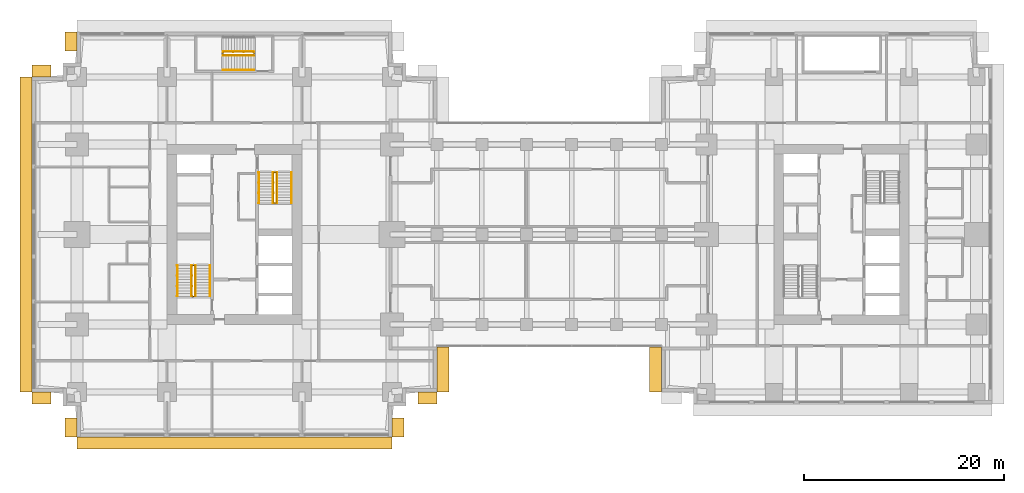
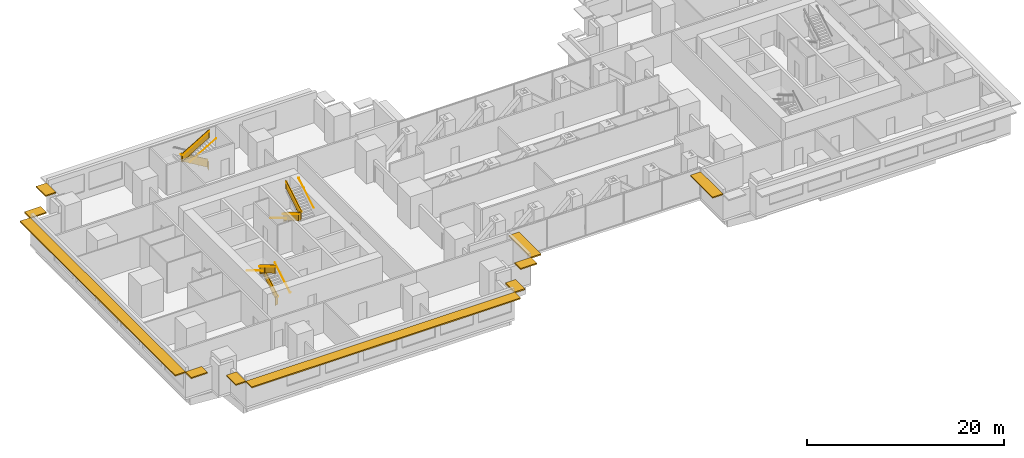
# One storey, part 13 of 14: 14 railings, 10 shading devices.
"""IFC4 building model written with IfcOpenShell, lengths in metres."""

from ifc_helpers import new_model, si_unit, direction, frame, origin, origin_2d, place, context, subcontext, project, spatial, polyline, rectangle, circle, outline, extrude, material, layer, layer_set, type_object, element, save


model = new_model("IFC4")

# Units and contexts
model_context = context("Model", 3, precision=1e-05, world=origin(), true_north=direction((0.0, 1.0)))
body_context = subcontext(model_context, "Body", "Model", "MODEL_VIEW")
ifc_project = project(units=[si_unit("LENGTHUNIT", "METRE"), si_unit("AREAUNIT", "SQUARE_METRE"), si_unit("VOLUMEUNIT", "CUBIC_METRE"), si_unit("PLANEANGLEUNIT", "RADIAN"), si_unit("MASSUNIT", "GRAM", prefix="KILO")], contexts=[model_context])

# Site, building, storey
site_placement = place(None, origin())
site = spatial("IfcSite", under=ifc_project, at=site_placement, CompositionType="ELEMENT")
building_placement = place(site_placement, origin())
building = spatial("IfcBuilding", under=site, at=building_placement, Name="Namib Vertical Campus", CompositionType="ELEMENT")
storey_placement = place(building_placement, frame((0.0, 0.0, 133.0)))
storey = spatial("IfcBuildingStorey", under=building, at=storey_placement, Name="L31", CompositionType="ELEMENT", Elevation=133.0)

# Railings
ifc_material_1 = material(Name="Steel handrail", Category="steel")
railing_type_1 = type_object("IfcRailingType", Name="Handrail 900", PredefinedType="HANDRAIL", material=ifc_material_1)
railing_1_placement = place(storey_placement, frame((17.800048828125, 14.050048828125, 0.166748046875)))
element("IfcRailing", 1, at=railing_1_placement, inside=storey, type_object=railing_type_1, Name="Handrail HR1 A-S1 L31 1", PredefinedType="HANDRAIL", context=body_context, shape_type="SweptSolid", body=[
    extrude(circle(Radius=0.02392578125, at=origin_2d()), frame((0.0, 0.0, 0.8759765625), z_axis=(0.0, 0.859290745958, 0.51148745235), x_axis=(-1.0, 0.0, 0.0)), (0.0, 0.0, 1.0), 3.584228515625),
    extrude(circle(Radius=0.008056640625, at=origin_2d()), frame((0.0, 0.0, 0.8759765625), z_axis=(1.0, 0.0, 0.0), x_axis=(0.0, 0.0, 1.0)), (0.0, 0.0, 1.0), 0.050048828125),
    extrude(circle(Radius=0.008056640625, at=origin_2d()), frame((0.0, 1.026611328125, 1.48681640625), z_axis=(1.0, 0.0, 0.0), x_axis=(0.0, 0.0, 1.0)), (0.0, 0.0, 1.0), 0.050048828125),
    extrude(circle(Radius=0.008056640625, at=origin_2d()), frame((0.0, 2.05322265625, 2.09814453125), z_axis=(1.0, 0.0, 0.0), x_axis=(0.0, 0.0, 1.0)), (0.0, 0.0, 1.0), 0.050048828125),
    extrude(circle(Radius=0.008056640625, at=origin_2d()), frame((0.0, 3.079833984375, 2.708984375), z_axis=(1.0, 0.0, 0.0), x_axis=(0.0, 0.0, 1.0)), (0.0, 0.0, 1.0), 0.050048828125),
])
railing_2_placement = place(storey_placement, frame((14.550048828125, 17.1298828125, 2.166748046875)))
element("IfcRailing", 2, at=railing_2_placement, inside=storey, type_object=railing_type_1, Name="Handrail HR1 A-S1 L31 2", PredefinedType="HANDRAIL", context=body_context, shape_type="SweptSolid", body=[
    extrude(circle(Radius=0.02392578125, at=origin_2d()), frame((0.0, 0.0, 0.8759765625), z_axis=(0.0, -0.859290745958, 0.51148745235), x_axis=(1.0, 0.0, 0.0)), (0.0, 0.0, 1.0), 3.584228515625),
    extrude(circle(Radius=0.008056640625, at=origin_2d()), frame((0.0, 0.0, 0.8759765625), z_axis=(-1.0, 0.0, 0.0), x_axis=(0.0, 0.0, 1.0)), (0.0, 0.0, 1.0), 0.050048828125),
    extrude(circle(Radius=0.008056640625, at=origin_2d()), frame((0.0, -1.026611328125, 1.48681640625), z_axis=(-1.0, 0.0, 0.0), x_axis=(0.0, 0.0, 1.0)), (0.0, 0.0, 1.0), 0.050048828125),
    extrude(circle(Radius=0.008056640625, at=origin_2d()), frame((0.0, -2.05322265625, 2.09814453125), z_axis=(-1.0, 0.0, 0.0), x_axis=(0.0, 0.0, 1.0)), (0.0, 0.0, 1.0), 0.050048828125),
    extrude(circle(Radius=0.008056640625, at=origin_2d()), frame((0.0, -3.079833984375, 2.708984375), z_axis=(-1.0, 0.0, 0.0), x_axis=(0.0, 0.0, 1.0)), (0.0, 0.0, 1.0), 0.050048828125),
])
railing_3_placement = place(storey_placement, frame((16.375, 14.050048828125, 0.166748046875)))
element("IfcRailing", 3, at=railing_3_placement, inside=storey, type_object=railing_type_1, Name="Handrail HR1 A-S1 L31 1 at the well", PredefinedType="HANDRAIL", context=body_context, shape_type="SweptSolid", body=[
    extrude(circle(Radius=0.02392578125, at=origin_2d()), frame((0.0, 0.0, 0.8759765625), z_axis=(0.0, 0.859290745958, 0.51148745235), x_axis=(-1.0, 0.0, 0.0)), (0.0, 0.0, 1.0), 3.584228515625),
    extrude(circle(Radius=0.008056640625, at=origin_2d()), frame((0.0, 0.0, 0.8759765625), z_axis=(-1.0, 0.0, 0.0), x_axis=(0.0, 0.0, 1.0)), (0.0, 0.0, 1.0), 0.0400390625),
    extrude(circle(Radius=0.008056640625, at=origin_2d()), frame((0.0, 1.026611328125, 1.48681640625), z_axis=(-1.0, 0.0, 0.0), x_axis=(0.0, 0.0, 1.0)), (0.0, 0.0, 1.0), 0.0400390625),
    extrude(circle(Radius=0.008056640625, at=origin_2d()), frame((0.0, 2.05322265625, 2.09814453125), z_axis=(-1.0, 0.0, 0.0), x_axis=(0.0, 0.0, 1.0)), (0.0, 0.0, 1.0), 0.0400390625),
    extrude(circle(Radius=0.008056640625, at=origin_2d()), frame((0.0, 3.079833984375, 2.708984375), z_axis=(-1.0, 0.0, 0.0), x_axis=(0.0, 0.0, 1.0)), (0.0, 0.0, 1.0), 0.0400390625),
])
railing_4_placement = place(storey_placement, frame((15.97509765625, 17.1298828125, 2.166748046875)))
element("IfcRailing", 4, at=railing_4_placement, inside=storey, type_object=railing_type_1, Name="Handrail HR1 A-S1 L31 2 at the well", PredefinedType="HANDRAIL", context=body_context, shape_type="SweptSolid", body=[
    extrude(circle(Radius=0.02392578125, at=origin_2d()), frame((0.0, 0.0, 0.8759765625), z_axis=(0.0, -0.859290745958, 0.51148745235), x_axis=(1.0, 0.0, 0.0)), (0.0, 0.0, 1.0), 3.584228515625),
    extrude(circle(Radius=0.008056640625, at=origin_2d()), frame((0.0, 0.0, 0.8759765625), z_axis=(1.0, 0.0, 0.0), x_axis=(0.0, 0.0, 1.0)), (0.0, 0.0, 1.0), 0.0400390625),
    extrude(circle(Radius=0.008056640625, at=origin_2d()), frame((0.0, -1.026611328125, 1.48681640625), z_axis=(1.0, 0.0, 0.0), x_axis=(0.0, 0.0, 1.0)), (0.0, 0.0, 1.0), 0.0400390625),
    extrude(circle(Radius=0.008056640625, at=origin_2d()), frame((0.0, -2.05322265625, 2.09814453125), z_axis=(1.0, 0.0, 0.0), x_axis=(0.0, 0.0, 1.0)), (0.0, 0.0, 1.0), 0.0400390625),
    extrude(circle(Radius=0.008056640625, at=origin_2d()), frame((0.0, -3.079833984375, 2.708984375), z_axis=(1.0, 0.0, 0.0), x_axis=(0.0, 0.0, 1.0)), (0.0, 0.0, 1.0), 0.0400390625),
])
railing_5_placement = place(storey_placement, frame((22.699951171875, 26.449951171875, 0.166748046875)))
element("IfcRailing", 5, at=railing_5_placement, inside=storey, type_object=railing_type_1, Name="Handrail HR1 A-S2 L31 1", PredefinedType="HANDRAIL", context=body_context, shape_type="SweptSolid", body=[
    extrude(circle(Radius=0.02392578125, at=origin_2d()), frame((0.0, 0.0, 0.8759765625), z_axis=(0.0, -0.859290745958, 0.51148745235), x_axis=(1.0, 0.0, 0.0)), (0.0, 0.0, 1.0), 3.584228515625),
    extrude(circle(Radius=0.008056640625, at=origin_2d()), frame((0.0, 0.0, 0.8759765625), z_axis=(-1.0, 0.0, 0.0), x_axis=(0.0, 0.0, 1.0)), (0.0, 0.0, 1.0), 0.050048828125),
    extrude(circle(Radius=0.008056640625, at=origin_2d()), frame((0.0, -1.026611328125, 1.48681640625), z_axis=(-1.0, 0.0, 0.0), x_axis=(0.0, 0.0, 1.0)), (0.0, 0.0, 1.0), 0.050048828125),
    extrude(circle(Radius=0.008056640625, at=origin_2d()), frame((0.0, -2.05322265625, 2.09814453125), z_axis=(-1.0, 0.0, 0.0), x_axis=(0.0, 0.0, 1.0)), (0.0, 0.0, 1.0), 0.050048828125),
    extrude(circle(Radius=0.008056640625, at=origin_2d()), frame((0.0, -3.079833984375, 2.708984375), z_axis=(-1.0, 0.0, 0.0), x_axis=(0.0, 0.0, 1.0)), (0.0, 0.0, 1.0), 0.050048828125),
])
railing_6_placement = place(storey_placement, frame((25.949951171875, 23.3701171875, 2.166748046875)))
element("IfcRailing", 6, at=railing_6_placement, inside=storey, type_object=railing_type_1, Name="Handrail HR1 A-S2 L31 2", PredefinedType="HANDRAIL", context=body_context, shape_type="SweptSolid", body=[
    extrude(circle(Radius=0.02392578125, at=origin_2d()), frame((0.0, 0.0, 0.8759765625), z_axis=(0.0, 0.859290745958, 0.51148745235), x_axis=(-1.0, 0.0, 0.0)), (0.0, 0.0, 1.0), 3.584228515625),
    extrude(circle(Radius=0.008056640625, at=origin_2d()), frame((0.0, 0.0, 0.8759765625), z_axis=(1.0, 0.0, 0.0), x_axis=(0.0, 0.0, 1.0)), (0.0, 0.0, 1.0), 0.050048828125),
    extrude(circle(Radius=0.008056640625, at=origin_2d()), frame((0.0, 1.026611328125, 1.48681640625), z_axis=(1.0, 0.0, 0.0), x_axis=(0.0, 0.0, 1.0)), (0.0, 0.0, 1.0), 0.050048828125),
    extrude(circle(Radius=0.008056640625, at=origin_2d()), frame((0.0, 2.05322265625, 2.09814453125), z_axis=(1.0, 0.0, 0.0), x_axis=(0.0, 0.0, 1.0)), (0.0, 0.0, 1.0), 0.050048828125),
    extrude(circle(Radius=0.008056640625, at=origin_2d()), frame((0.0, 3.079833984375, 2.708984375), z_axis=(1.0, 0.0, 0.0), x_axis=(0.0, 0.0, 1.0)), (0.0, 0.0, 1.0), 0.050048828125),
])
railing_7_placement = place(storey_placement, frame((24.125, 26.449951171875, 0.166748046875)))
element("IfcRailing", 7, at=railing_7_placement, inside=storey, type_object=railing_type_1, Name="Handrail HR1 A-S2 L31 1 at the well", PredefinedType="HANDRAIL", context=body_context, shape_type="SweptSolid", body=[
    extrude(circle(Radius=0.02392578125, at=origin_2d()), frame((0.0, 0.0, 0.8759765625), z_axis=(0.0, -0.859290745958, 0.51148745235), x_axis=(1.0, 0.0, 0.0)), (0.0, 0.0, 1.0), 3.584228515625),
    extrude(circle(Radius=0.008056640625, at=origin_2d()), frame((0.0, 0.0, 0.8759765625), z_axis=(1.0, 0.0, 0.0), x_axis=(0.0, 0.0, 1.0)), (0.0, 0.0, 1.0), 0.0400390625),
    extrude(circle(Radius=0.008056640625, at=origin_2d()), frame((0.0, -1.026611328125, 1.48681640625), z_axis=(1.0, 0.0, 0.0), x_axis=(0.0, 0.0, 1.0)), (0.0, 0.0, 1.0), 0.0400390625),
    extrude(circle(Radius=0.008056640625, at=origin_2d()), frame((0.0, -2.05322265625, 2.09814453125), z_axis=(1.0, 0.0, 0.0), x_axis=(0.0, 0.0, 1.0)), (0.0, 0.0, 1.0), 0.0400390625),
    extrude(circle(Radius=0.008056640625, at=origin_2d()), frame((0.0, -3.079833984375, 2.708984375), z_axis=(1.0, 0.0, 0.0), x_axis=(0.0, 0.0, 1.0)), (0.0, 0.0, 1.0), 0.0400390625),
])
railing_8_placement = place(storey_placement, frame((24.52490234375, 23.3701171875, 2.166748046875)))
element("IfcRailing", 8, at=railing_8_placement, inside=storey, type_object=railing_type_1, Name="Handrail HR1 A-S2 L31 2 at the well", PredefinedType="HANDRAIL", context=body_context, shape_type="SweptSolid", body=[
    extrude(circle(Radius=0.02392578125, at=origin_2d()), frame((0.0, 0.0, 0.8759765625), z_axis=(0.0, 0.859290745958, 0.51148745235), x_axis=(-1.0, 0.0, 0.0)), (0.0, 0.0, 1.0), 3.584228515625),
    extrude(circle(Radius=0.008056640625, at=origin_2d()), frame((0.0, 0.0, 0.8759765625), z_axis=(-1.0, 0.0, 0.0), x_axis=(0.0, 0.0, 1.0)), (0.0, 0.0, 1.0), 0.0400390625),
    extrude(circle(Radius=0.008056640625, at=origin_2d()), frame((0.0, 1.026611328125, 1.48681640625), z_axis=(-1.0, 0.0, 0.0), x_axis=(0.0, 0.0, 1.0)), (0.0, 0.0, 1.0), 0.0400390625),
    extrude(circle(Radius=0.008056640625, at=origin_2d()), frame((0.0, 2.05322265625, 2.09814453125), z_axis=(-1.0, 0.0, 0.0), x_axis=(0.0, 0.0, 1.0)), (0.0, 0.0, 1.0), 0.0400390625),
    extrude(circle(Radius=0.008056640625, at=origin_2d()), frame((0.0, 3.079833984375, 2.708984375), z_axis=(-1.0, 0.0, 0.0), x_axis=(0.0, 0.0, 1.0)), (0.0, 0.0, 1.0), 0.0400390625),
])
railing_9_placement = place(storey_placement, frame((19.1201171875, 36.699951171875, 2.166748046875)))
element("IfcRailing", 9, at=railing_9_placement, inside=storey, type_object=railing_type_1, Name="Handrail HR1 A-S3 L31 2", PredefinedType="HANDRAIL", context=body_context, shape_type="SweptSolid", body=[
    extrude(circle(Radius=0.02392578125, at=origin_2d()), frame((0.0, 0.0, 0.8759765625), z_axis=(0.859290745958, 0.0, 0.51148745235), x_axis=(0.0, 1.0, 0.0)), (0.0, 0.0, 1.0), 3.584228515625),
    extrude(circle(Radius=0.008056640625, at=origin_2d()), frame((0.0, 0.0, 0.8759765625), z_axis=(0.0, -1.0, 0.0), x_axis=(0.0, 0.0, 1.0)), (0.0, 0.0, 1.0), 0.050048828125),
    extrude(circle(Radius=0.008056640625, at=origin_2d()), frame((1.026611328125, 0.0, 1.48681640625), z_axis=(0.0, -1.0, 0.0), x_axis=(0.0, 0.0, 1.0)), (0.0, 0.0, 1.0), 0.050048828125),
    extrude(circle(Radius=0.008056640625, at=origin_2d()), frame((2.05322265625, 0.0, 2.09814453125), z_axis=(0.0, -1.0, 0.0), x_axis=(0.0, 0.0, 1.0)), (0.0, 0.0, 1.0), 0.050048828125),
    extrude(circle(Radius=0.008056640625, at=origin_2d()), frame((3.079833984375, 0.0, 2.708984375), z_axis=(0.0, -1.0, 0.0), x_axis=(0.0, 0.0, 1.0)), (0.0, 0.0, 1.0), 0.050048828125),
])
railing_10_placement = place(storey_placement, frame((22.199951171875, 38.52490234375, 0.166748046875)))
element("IfcRailing", 10, at=railing_10_placement, inside=storey, type_object=railing_type_1, Name="Handrail HR1 A-S3 L31 1 at the well", PredefinedType="HANDRAIL", context=body_context, shape_type="SweptSolid", body=[
    extrude(circle(Radius=0.02392578125, at=origin_2d()), frame((0.0, 0.0, 0.8759765625), z_axis=(-0.859290745958, 0.0, 0.51148745235), x_axis=(0.0, -1.0, 0.0)), (0.0, 0.0, 1.0), 3.584228515625),
    extrude(circle(Radius=0.008056640625, at=origin_2d()), frame((0.0, 0.0, 0.8759765625), z_axis=(0.0, -1.0, 0.0), x_axis=(0.0, 0.0, 1.0)), (0.0, 0.0, 1.0), 0.0400390625),
    extrude(circle(Radius=0.008056640625, at=origin_2d()), frame((-1.026611328125, 0.0, 1.48681640625), z_axis=(0.0, -1.0, 0.0), x_axis=(0.0, 0.0, 1.0)), (0.0, 0.0, 1.0), 0.0400390625),
    extrude(circle(Radius=0.008056640625, at=origin_2d()), frame((-2.05322265625, 0.0, 2.09814453125), z_axis=(0.0, -1.0, 0.0), x_axis=(0.0, 0.0, 1.0)), (0.0, 0.0, 1.0), 0.0400390625),
    extrude(circle(Radius=0.008056640625, at=origin_2d()), frame((-3.079833984375, 0.0, 2.708984375), z_axis=(0.0, -1.0, 0.0), x_axis=(0.0, 0.0, 1.0)), (0.0, 0.0, 1.0), 0.0400390625),
])
railing_11_placement = place(storey_placement, frame((19.1201171875, 38.125, 2.166748046875)))
element("IfcRailing", 11, at=railing_11_placement, inside=storey, type_object=railing_type_1, Name="Handrail HR1 A-S3 L31 2 at the well", PredefinedType="HANDRAIL", context=body_context, shape_type="SweptSolid", body=[
    extrude(circle(Radius=0.02392578125, at=origin_2d()), frame((0.0, 0.0, 0.8759765625), z_axis=(0.859290745958, 0.0, 0.51148745235), x_axis=(0.0, 1.0, 0.0)), (0.0, 0.0, 1.0), 3.584228515625),
    extrude(circle(Radius=0.008056640625, at=origin_2d()), frame((0.0, 0.0, 0.8759765625), z_axis=(0.0, 1.0, 0.0), x_axis=(0.0, 0.0, 1.0)), (0.0, 0.0, 1.0), 0.0400390625),
    extrude(circle(Radius=0.008056640625, at=origin_2d()), frame((1.026611328125, 0.0, 1.48681640625), z_axis=(0.0, 1.0, 0.0), x_axis=(0.0, 0.0, 1.0)), (0.0, 0.0, 1.0), 0.0400390625),
    extrude(circle(Radius=0.008056640625, at=origin_2d()), frame((2.05322265625, 0.0, 2.09814453125), z_axis=(0.0, 1.0, 0.0), x_axis=(0.0, 0.0, 1.0)), (0.0, 0.0, 1.0), 0.0400390625),
    extrude(circle(Radius=0.008056640625, at=origin_2d()), frame((3.079833984375, 0.0, 2.708984375), z_axis=(0.0, 1.0, 0.0), x_axis=(0.0, 0.0, 1.0)), (0.0, 0.0, 1.0), 0.0400390625),
])
ifc_material_2 = material(Name="Steel balustrade", Category="steel")
railing_type_2 = type_object("IfcRailingType", Name="Stair guard 1100", PredefinedType="GUARDRAIL", material=ifc_material_2)
railing_12_placement = place(storey_placement, frame((16.02490234375, 14.050048828125, 0.0)))
element("IfcRailing", 12, at=railing_12_placement, inside=storey, type_object=railing_type_2, Name="Stair guard GR1 A-S1 L31", PredefinedType="GUARDRAIL", context=body_context, shape_type="SweptSolid", body=[
    extrude(circle(Radius=0.02392578125, at=origin_2d()), frame((0.0, 0.0, 1.076171875), z_axis=(1.0, 0.0, 0.0), x_axis=(0.0, 1.0, 0.0)), (0.0, 0.0, 1.0), 0.300048828125),
    extrude(outline(polyline([(0.02099609375, 0.050048828125), (0.279052734375, 0.050048828125), (0.279052734375, 1.052001953125), (0.02099609375, 1.052001953125), (0.02099609375, 0.050048828125)])), frame((0.0, 0.010009765625, 0.0), z_axis=(0.0, -1.0, 0.0), x_axis=(1.0, 0.0, 0.0)), (0.0, 0.0, 1.0), 0.02001953125),
    extrude(circle(Radius=0.02392578125, at=origin_2d()), frame((0.300048828125, 0.0, 1.076171875), z_axis=(0.0, 0.0, 1.0), x_axis=(1.0, 0.0, 0.0)), (0.0, 0.0, 1.0), 0.166748046875),
    extrude(circle(Radius=0.02392578125, at=origin_2d()), frame((0.300048828125, 0.0, 1.24267578125), z_axis=(0.0, 0.859290745958, 0.51148745235), x_axis=(-1.0, 0.0, 0.0)), (0.0, 0.0, 1.0), 3.584228515625),
    extrude(outline(polyline([(0.02099609375, 0.0625), (3.058837890625, 1.870849609375), (3.058837890625, 2.872802734375), (0.02099609375, 1.064453125), (0.02099609375, 0.0625)])), frame((0.2900390625, 0.0, 0.166748046875), z_axis=(1.0, 0.0, 0.0), x_axis=(0.0, 1.0, 0.0)), (0.0, 0.0, 1.0), 0.02001953125),
    extrude(circle(Radius=0.02392578125, at=origin_2d()), frame((0.300048828125, 3.079833984375, 3.076171875), z_axis=(-1.0, 0.0, 0.0), x_axis=(0.0, -1.0, 0.0)), (0.0, 0.0, 1.0), 0.300048828125),
    extrude(outline(polyline([(0.02099609375, 0.050048828125), (0.279052734375, 0.050048828125), (0.279052734375, 1.052001953125), (0.02099609375, 1.052001953125), (0.02099609375, 0.050048828125)])), frame((0.300048828125, 3.06982421875, 2.0), z_axis=(0.0, 1.0, 0.0), x_axis=(-1.0, 0.0, 0.0)), (0.0, 0.0, 1.0), 0.02001953125),
    extrude(circle(Radius=0.02392578125, at=origin_2d()), frame((0.0, 3.079833984375, 3.076171875), z_axis=(0.0, 0.0, 1.0), x_axis=(1.0, 0.0, 0.0)), (0.0, 0.0, 1.0), 0.166748046875),
    extrude(circle(Radius=0.02392578125, at=origin_2d()), frame((0.0, 3.079833984375, 3.24267578125), z_axis=(0.0, -0.859290745958, 0.51148745235), x_axis=(1.0, 0.0, 0.0)), (0.0, 0.0, 1.0), 3.584228515625),
    extrude(outline(polyline([(0.02099609375, 0.0625), (3.058837890625, 1.870849609375), (3.058837890625, 2.872802734375), (0.02099609375, 1.064453125), (0.02099609375, 0.0625)])), frame((0.010009765625, 3.079833984375, 2.166748046875), z_axis=(-1.0, 0.0, 0.0), x_axis=(0.0, -1.0, 0.0)), (0.0, 0.0, 1.0), 0.02001953125),
    extrude(circle(Radius=0.02392578125, at=origin_2d()), frame((0.0, 0.0, 5.076171875), z_axis=(0.0, -1.0, 0.0), x_axis=(1.0, 0.0, 0.0)), (0.0, 0.0, 1.0), 0.050048828125),
    extrude(outline(polyline([(0.02099609375, 0.050048828125), (0.029052734375, 0.050048828125), (0.029052734375, 1.052001953125), (0.02099609375, 1.052001953125), (0.02099609375, 0.050048828125)])), frame((0.010009765625, 0.0, 4.0), z_axis=(-1.0, 0.0, 0.0), x_axis=(0.0, -1.0, 0.0)), (0.0, 0.0, 1.0), 0.02001953125),
    extrude(circle(Radius=0.02099609375, at=origin_2d()), origin(), (0.0, 0.0, 1.0), 1.052001953125),
    extrude(circle(Radius=0.02099609375, at=origin_2d()), frame((0.300048828125, 0.0, 0.166748046875)), (0.0, 0.0, 1.0), 1.052001953125),
    extrude(circle(Radius=0.02099609375, at=origin_2d()), frame((0.300048828125, 1.026611328125, 0.666748046875)), (0.0, 0.0, 1.0), 1.1630859375),
    extrude(circle(Radius=0.02099609375, at=origin_2d()), frame((0.300048828125, 2.05322265625, 1.33349609375)), (0.0, 0.0, 1.0), 1.107421875),
    extrude(circle(Radius=0.02099609375, at=origin_2d()), frame((0.300048828125, 3.079833984375, 2.0)), (0.0, 0.0, 1.0), 1.052001953125),
    extrude(circle(Radius=0.02099609375, at=origin_2d()), frame((0.0, 3.079833984375, 2.166748046875)), (0.0, 0.0, 1.0), 1.052001953125),
    extrude(circle(Radius=0.02099609375, at=origin_2d()), frame((0.0, 2.05322265625, 2.666748046875)), (0.0, 0.0, 1.0), 1.1630859375),
    extrude(circle(Radius=0.02099609375, at=origin_2d()), frame((0.0, 1.026611328125, 3.33349609375)), (0.0, 0.0, 1.0), 1.107421875),
    extrude(circle(Radius=0.02099609375, at=origin_2d()), frame((0.0, 0.0, 4.0)), (0.0, 0.0, 1.0), 1.052001953125),
    extrude(circle(Radius=0.02099609375, at=origin_2d()), frame((0.0, -0.050048828125, 4.0)), (0.0, 0.0, 1.0), 1.052001953125),
])
railing_13_placement = place(storey_placement, frame((24.47509765625, 26.449951171875, 0.0)))
element("IfcRailing", 13, at=railing_13_placement, inside=storey, type_object=railing_type_2, Name="Stair guard GR1 A-S2 L31", PredefinedType="GUARDRAIL", context=body_context, shape_type="SweptSolid", body=[
    extrude(circle(Radius=0.02392578125, at=origin_2d()), frame((0.0, 0.0, 1.076171875), z_axis=(-1.0, 0.0, 0.0), x_axis=(0.0, -1.0, 0.0)), (0.0, 0.0, 1.0), 0.300048828125),
    extrude(outline(polyline([(0.02099609375, 0.050048828125), (0.279052734375, 0.050048828125), (0.279052734375, 1.052001953125), (0.02099609375, 1.052001953125), (0.02099609375, 0.050048828125)])), frame((0.0, -0.010009765625, 0.0), z_axis=(0.0, 1.0, 0.0), x_axis=(-1.0, 0.0, 0.0)), (0.0, 0.0, 1.0), 0.02001953125),
    extrude(circle(Radius=0.02392578125, at=origin_2d()), frame((-0.300048828125, 0.0, 1.076171875), z_axis=(0.0, 0.0, 1.0), x_axis=(1.0, 0.0, 0.0)), (0.0, 0.0, 1.0), 0.166748046875),
    extrude(circle(Radius=0.02392578125, at=origin_2d()), frame((-0.300048828125, 0.0, 1.24267578125), z_axis=(0.0, -0.859290745958, 0.51148745235), x_axis=(1.0, 0.0, 0.0)), (0.0, 0.0, 1.0), 3.584228515625),
    extrude(outline(polyline([(0.02099609375, 0.0625), (3.058837890625, 1.870849609375), (3.058837890625, 2.872802734375), (0.02099609375, 1.064453125), (0.02099609375, 0.0625)])), frame((-0.2900390625, 0.0, 0.166748046875), z_axis=(-1.0, 0.0, 0.0), x_axis=(0.0, -1.0, 0.0)), (0.0, 0.0, 1.0), 0.02001953125),
    extrude(circle(Radius=0.02392578125, at=origin_2d()), frame((-0.300048828125, -3.079833984375, 3.076171875), z_axis=(1.0, 0.0, 0.0), x_axis=(0.0, 1.0, 0.0)), (0.0, 0.0, 1.0), 0.300048828125),
    extrude(outline(polyline([(0.02099609375, 0.050048828125), (0.279052734375, 0.050048828125), (0.279052734375, 1.052001953125), (0.02099609375, 1.052001953125), (0.02099609375, 0.050048828125)])), frame((-0.300048828125, -3.06982421875, 2.0), z_axis=(0.0, -1.0, 0.0), x_axis=(1.0, 0.0, 0.0)), (0.0, 0.0, 1.0), 0.02001953125),
    extrude(circle(Radius=0.02392578125, at=origin_2d()), frame((0.0, -3.079833984375, 3.076171875), z_axis=(0.0, 0.0, 1.0), x_axis=(1.0, 0.0, 0.0)), (0.0, 0.0, 1.0), 0.166748046875),
    extrude(circle(Radius=0.02392578125, at=origin_2d()), frame((0.0, -3.079833984375, 3.24267578125), z_axis=(0.0, 0.859290745958, 0.51148745235), x_axis=(-1.0, 0.0, 0.0)), (0.0, 0.0, 1.0), 3.584228515625),
    extrude(outline(polyline([(0.02099609375, 0.0625), (3.058837890625, 1.870849609375), (3.058837890625, 2.872802734375), (0.02099609375, 1.064453125), (0.02099609375, 0.0625)])), frame((-0.010009765625, -3.079833984375, 2.166748046875), z_axis=(1.0, 0.0, 0.0), x_axis=(0.0, 1.0, 0.0)), (0.0, 0.0, 1.0), 0.02001953125),
    extrude(circle(Radius=0.02392578125, at=origin_2d()), frame((0.0, 0.0, 5.076171875), z_axis=(0.0, 1.0, 0.0), x_axis=(-1.0, 0.0, 0.0)), (0.0, 0.0, 1.0), 0.050048828125),
    extrude(outline(polyline([(0.02099609375, 0.050048828125), (0.029052734375, 0.050048828125), (0.029052734375, 1.052001953125), (0.02099609375, 1.052001953125), (0.02099609375, 0.050048828125)])), frame((-0.010009765625, 0.0, 4.0), z_axis=(1.0, 0.0, 0.0), x_axis=(0.0, 1.0, 0.0)), (0.0, 0.0, 1.0), 0.02001953125),
    extrude(circle(Radius=0.02099609375, at=origin_2d()), origin(), (0.0, 0.0, 1.0), 1.052001953125),
    extrude(circle(Radius=0.02099609375, at=origin_2d()), frame((-0.300048828125, 0.0, 0.166748046875)), (0.0, 0.0, 1.0), 1.052001953125),
    extrude(circle(Radius=0.02099609375, at=origin_2d()), frame((-0.300048828125, -1.026611328125, 0.666748046875)), (0.0, 0.0, 1.0), 1.1630859375),
    extrude(circle(Radius=0.02099609375, at=origin_2d()), frame((-0.300048828125, -2.05322265625, 1.33349609375)), (0.0, 0.0, 1.0), 1.107421875),
    extrude(circle(Radius=0.02099609375, at=origin_2d()), frame((-0.300048828125, -3.079833984375, 2.0)), (0.0, 0.0, 1.0), 1.052001953125),
    extrude(circle(Radius=0.02099609375, at=origin_2d()), frame((0.0, -3.079833984375, 2.166748046875)), (0.0, 0.0, 1.0), 1.052001953125),
    extrude(circle(Radius=0.02099609375, at=origin_2d()), frame((0.0, -2.05322265625, 2.666748046875)), (0.0, 0.0, 1.0), 1.1630859375),
    extrude(circle(Radius=0.02099609375, at=origin_2d()), frame((0.0, -1.026611328125, 3.33349609375)), (0.0, 0.0, 1.0), 1.107421875),
    extrude(circle(Radius=0.02099609375, at=origin_2d()), frame((0.0, 0.0, 4.0)), (0.0, 0.0, 1.0), 1.052001953125),
    extrude(circle(Radius=0.02099609375, at=origin_2d()), frame((0.0, 0.050048828125, 4.0)), (0.0, 0.0, 1.0), 1.052001953125),
])
railing_14_placement = place(storey_placement, frame((22.199951171875, 38.175048828125, 0.0)))
element("IfcRailing", 14, at=railing_14_placement, inside=storey, type_object=railing_type_2, Name="Stair guard GR1 A-S3 L31", PredefinedType="GUARDRAIL", context=body_context, shape_type="SweptSolid", body=[
    extrude(circle(Radius=0.02392578125, at=origin_2d()), frame((0.0, 0.0, 1.076171875), z_axis=(0.0, 1.0, 0.0), x_axis=(-1.0, 0.0, 0.0)), (0.0, 0.0, 1.0), 0.300048828125),
    extrude(outline(polyline([(0.02099609375, 0.050048828125), (0.279052734375, 0.050048828125), (0.279052734375, 1.052001953125), (0.02099609375, 1.052001953125), (0.02099609375, 0.050048828125)])), frame((-0.010009765625, 0.0, 0.0), z_axis=(1.0, 0.0, 0.0), x_axis=(0.0, 1.0, 0.0)), (0.0, 0.0, 1.0), 0.02001953125),
    extrude(circle(Radius=0.02392578125, at=origin_2d()), frame((0.0, 0.300048828125, 1.076171875), z_axis=(0.0, 0.0, 1.0), x_axis=(1.0, 0.0, 0.0)), (0.0, 0.0, 1.0), 0.166748046875),
    extrude(circle(Radius=0.02392578125, at=origin_2d()), frame((0.0, 0.300048828125, 1.24267578125), z_axis=(-0.859290745958, 0.0, 0.51148745235), x_axis=(0.0, -1.0, 0.0)), (0.0, 0.0, 1.0), 3.584228515625),
    extrude(outline(polyline([(0.02099609375, 0.0625), (3.058837890625, 1.870849609375), (3.058837890625, 2.872802734375), (0.02099609375, 1.064453125), (0.02099609375, 0.0625)])), frame((0.0, 0.2900390625, 0.166748046875), z_axis=(0.0, 1.0, 0.0), x_axis=(-1.0, 0.0, 0.0)), (0.0, 0.0, 1.0), 0.02001953125),
    extrude(circle(Radius=0.02392578125, at=origin_2d()), frame((-3.079833984375, 0.300048828125, 3.076171875), z_axis=(0.0, -1.0, 0.0), x_axis=(1.0, 0.0, 0.0)), (0.0, 0.0, 1.0), 0.300048828125),
    extrude(outline(polyline([(0.02099609375, 0.050048828125), (0.279052734375, 0.050048828125), (0.279052734375, 1.052001953125), (0.02099609375, 1.052001953125), (0.02099609375, 0.050048828125)])), frame((-3.06982421875, 0.300048828125, 2.0), z_axis=(-1.0, 0.0, 0.0), x_axis=(0.0, -1.0, 0.0)), (0.0, 0.0, 1.0), 0.02001953125),
    extrude(circle(Radius=0.02392578125, at=origin_2d()), frame((-3.079833984375, 0.0, 3.076171875), z_axis=(0.0, 0.0, 1.0), x_axis=(1.0, 0.0, 0.0)), (0.0, 0.0, 1.0), 0.166748046875),
    extrude(circle(Radius=0.02392578125, at=origin_2d()), frame((-3.079833984375, 0.0, 3.24267578125), z_axis=(0.859290745958, 0.0, 0.51148745235), x_axis=(0.0, 1.0, 0.0)), (0.0, 0.0, 1.0), 3.584228515625),
    extrude(outline(polyline([(0.02099609375, 0.0625), (3.058837890625, 1.870849609375), (3.058837890625, 2.872802734375), (0.02099609375, 1.064453125), (0.02099609375, 0.0625)])), frame((-3.079833984375, 0.010009765625, 2.166748046875), z_axis=(0.0, -1.0, 0.0), x_axis=(1.0, 0.0, 0.0)), (0.0, 0.0, 1.0), 0.02001953125),
    extrude(circle(Radius=0.02392578125, at=origin_2d()), frame((0.0, 0.0, 5.076171875), z_axis=(1.0, 0.0, 0.0), x_axis=(0.0, 1.0, 0.0)), (0.0, 0.0, 1.0), 0.050048828125),
    extrude(outline(polyline([(0.02099609375, 0.050048828125), (0.029052734375, 0.050048828125), (0.029052734375, 1.052001953125), (0.02099609375, 1.052001953125), (0.02099609375, 0.050048828125)])), frame((0.0, 0.010009765625, 4.0), z_axis=(0.0, -1.0, 0.0), x_axis=(1.0, 0.0, 0.0)), (0.0, 0.0, 1.0), 0.02001953125),
    extrude(circle(Radius=0.02099609375, at=origin_2d()), origin(), (0.0, 0.0, 1.0), 1.052001953125),
    extrude(circle(Radius=0.02099609375, at=origin_2d()), frame((0.0, 0.300048828125, 0.166748046875)), (0.0, 0.0, 1.0), 1.052001953125),
    extrude(circle(Radius=0.02099609375, at=origin_2d()), frame((-1.026611328125, 0.300048828125, 0.666748046875)), (0.0, 0.0, 1.0), 1.1630859375),
    extrude(circle(Radius=0.02099609375, at=origin_2d()), frame((-2.05322265625, 0.300048828125, 1.33349609375)), (0.0, 0.0, 1.0), 1.107421875),
    extrude(circle(Radius=0.02099609375, at=origin_2d()), frame((-3.079833984375, 0.300048828125, 2.0)), (0.0, 0.0, 1.0), 1.052001953125),
    extrude(circle(Radius=0.02099609375, at=origin_2d()), frame((-3.079833984375, 0.0, 2.166748046875)), (0.0, 0.0, 1.0), 1.052001953125),
    extrude(circle(Radius=0.02099609375, at=origin_2d()), frame((-2.05322265625, 0.0, 2.666748046875)), (0.0, 0.0, 1.0), 1.1630859375),
    extrude(circle(Radius=0.02099609375, at=origin_2d()), frame((-1.026611328125, 0.0, 3.33349609375)), (0.0, 0.0, 1.0), 1.107421875),
    extrude(circle(Radius=0.02099609375, at=origin_2d()), frame((0.0, 0.0, 4.0)), (0.0, 0.0, 1.0), 1.052001953125),
    extrude(circle(Radius=0.02099609375, at=origin_2d()), frame((0.050048828125, 0.0, 4.0)), (0.0, 0.0, 1.0), 1.052001953125),
])

# Shading devices
ifc_material_3 = material(Name="Concrete C40/50 precast", Category="concrete")
ifc_layer = layer(ifc_material_3, 0.14990234375)
ifc_layer_set = layer_set([ifc_layer], Name="Concrete C40/50 precast")
shading_device_type = type_object("IfcShadingDeviceType", Name="Sunshade hood 1200", PredefinedType="SHUTTER", material=ifc_layer_set)
shading_device_1_placement = place(storey_placement, frame((3.89990234375, 0.949951171875, 3.10009765625), z_axis=(0.0, 0.0, 1.0), x_axis=(0.0, -1.0, 0.0)))
element("IfcShadingDevice", 15, at=shading_device_1_placement, inside=storey, type_object=shading_device_type, Name="Sunshade SH2 L31 1", PredefinedType="SHUTTER", context=body_context, shape_type="SweptSolid", body=[
    extrude(rectangle(XDim=1.89990234375, YDim=1.199951171875, at=origin_2d()), origin(), (0.0, 0.0, 1.0), 0.14990234375),
])
shading_device_2_placement = place(storey_placement, frame((20.25, -0.60009765625, 3.10009765625), z_axis=(0.0, 0.0, 1.0), x_axis=(1.0, 0.0, 0.0)))
element("IfcShadingDevice", 16, at=shading_device_2_placement, inside=storey, type_object=shading_device_type, Name="Sunshade SH2 L31 2", PredefinedType="SHUTTER", context=body_context, shape_type="SweptSolid", body=[
    extrude(rectangle(XDim=31.5, YDim=1.199951171875, at=origin_2d()), origin(), (0.0, 0.0, 1.0), 0.14990234375),
])
for number, where, z_axis, x_axis, name in (
    (17, (36.60009765625, 0.949951171875, 3.10009765625), (0.0, 0.0, 1.0), (0.0, 1.0, 0.0), "Sunshade SH2 L31 3"),
    (18, (39.550048828125, 3.89990234375, 3.10009765625), (0.0, 0.0, 1.0), (1.0, 0.0, 0.0), "Sunshade SH2 L31 6"),
):
    element("IfcShadingDevice", number, at=place(storey_placement, frame(where, z_axis=z_axis, x_axis=x_axis)), inside=storey, type_object=shading_device_type, Name=name, PredefinedType="SHUTTER", context=body_context, shape_type="SweptSolid", body=[
        extrude(rectangle(XDim=1.89990234375, YDim=1.199951171875, at=origin_2d()), origin(), (0.0, 0.0, 1.0), 0.14990234375),
    ])
shading_device_3_placement = place(storey_placement, frame((41.10009765625, 6.75, 3.10009765625), z_axis=(0.0, 0.0, 1.0), x_axis=(0.0, 1.0, 0.0)))
element("IfcShadingDevice", 19, at=shading_device_3_placement, inside=storey, type_object=shading_device_type, Name="Sunshade SH2 L31 7", PredefinedType="SHUTTER", context=body_context, shape_type="SweptSolid", body=[
    extrude(rectangle(XDim=4.5, YDim=1.199951171875, at=origin_2d()), origin(), (0.0, 0.0, 1.0), 0.14990234375),
])
for number, where, z_axis, x_axis, name in (
    (20, (3.89990234375, 39.550048828125, 3.10009765625), (0.0, 0.0, 1.0), (0.0, -1.0, 0.0), "Sunshade SH2 L31 17"),
    (21, (0.949951171875, 36.60009765625, 3.10009765625), (0.0, 0.0, 1.0), (-1.0, 0.0, 0.0), "Sunshade SH2 L31 20"),
):
    element("IfcShadingDevice", number, at=place(storey_placement, frame(where, z_axis=z_axis, x_axis=x_axis)), inside=storey, type_object=shading_device_type, Name=name, PredefinedType="SHUTTER", context=body_context, shape_type="SweptSolid", body=[
        extrude(rectangle(XDim=1.89990234375, YDim=1.199951171875, at=origin_2d()), origin(), (0.0, 0.0, 1.0), 0.14990234375),
    ])
shading_device_4_placement = place(storey_placement, frame((-0.60009765625, 20.25, 3.10009765625), z_axis=(0.0, 0.0, 1.0), x_axis=(0.0, -1.0, 0.0)))
element("IfcShadingDevice", 22, at=shading_device_4_placement, inside=storey, type_object=shading_device_type, Name="Sunshade SH2 L31 21", PredefinedType="SHUTTER", context=body_context, shape_type="SweptSolid", body=[
    extrude(rectangle(XDim=31.5, YDim=1.199951171875, at=origin_2d()), origin(), (0.0, 0.0, 1.0), 0.14990234375),
])
shading_device_5_placement = place(storey_placement, frame((0.949951171875, 3.89990234375, 3.10009765625), z_axis=(0.0, 0.0, 1.0), x_axis=(1.0, 0.0, 0.0)))
element("IfcShadingDevice", 23, at=shading_device_5_placement, inside=storey, type_object=shading_device_type, Name="Sunshade SH2 L31 22", PredefinedType="SHUTTER", context=body_context, shape_type="SweptSolid", body=[
    extrude(rectangle(XDim=1.89990234375, YDim=1.199951171875, at=origin_2d()), origin(), (0.0, 0.0, 1.0), 0.14990234375),
])
shading_device_6_placement = place(storey_placement, frame((62.39990234375, 6.75, 3.10009765625), z_axis=(0.0, 0.0, 1.0), x_axis=(0.0, -1.0, 0.0)))
element("IfcShadingDevice", 24, at=shading_device_6_placement, inside=storey, type_object=shading_device_type, Name="Sunshade SH2 L31 1", PredefinedType="SHUTTER", context=body_context, shape_type="SweptSolid", body=[
    extrude(rectangle(XDim=4.5, YDim=1.199951171875, at=origin_2d()), origin(), (0.0, 0.0, 1.0), 0.14990234375),
])

save(model, "model.ifc")
